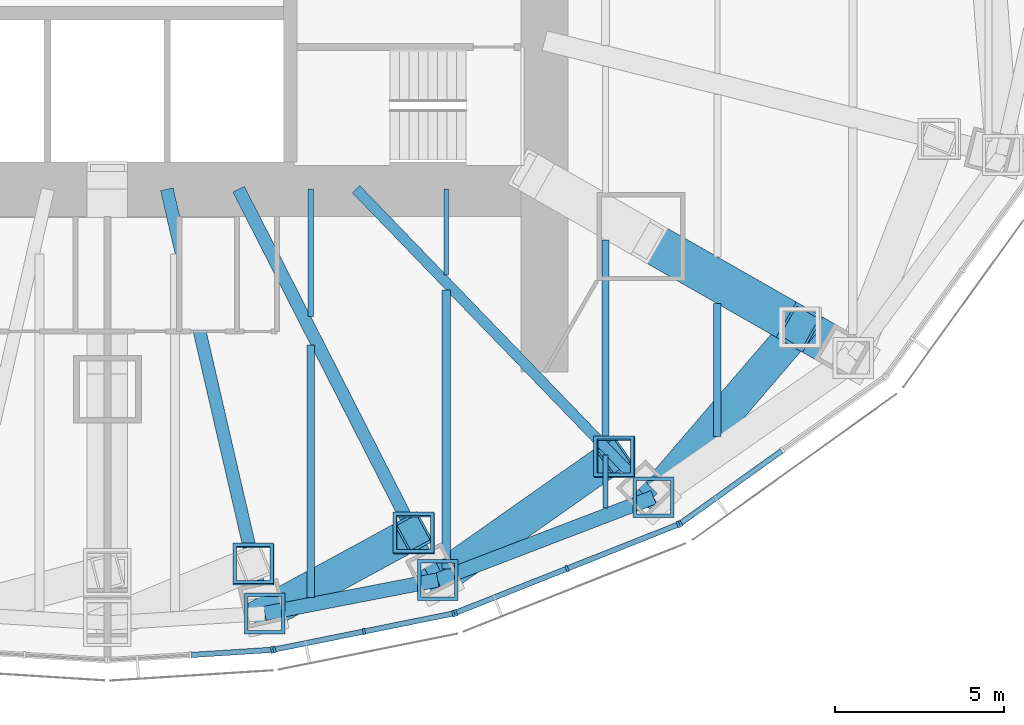
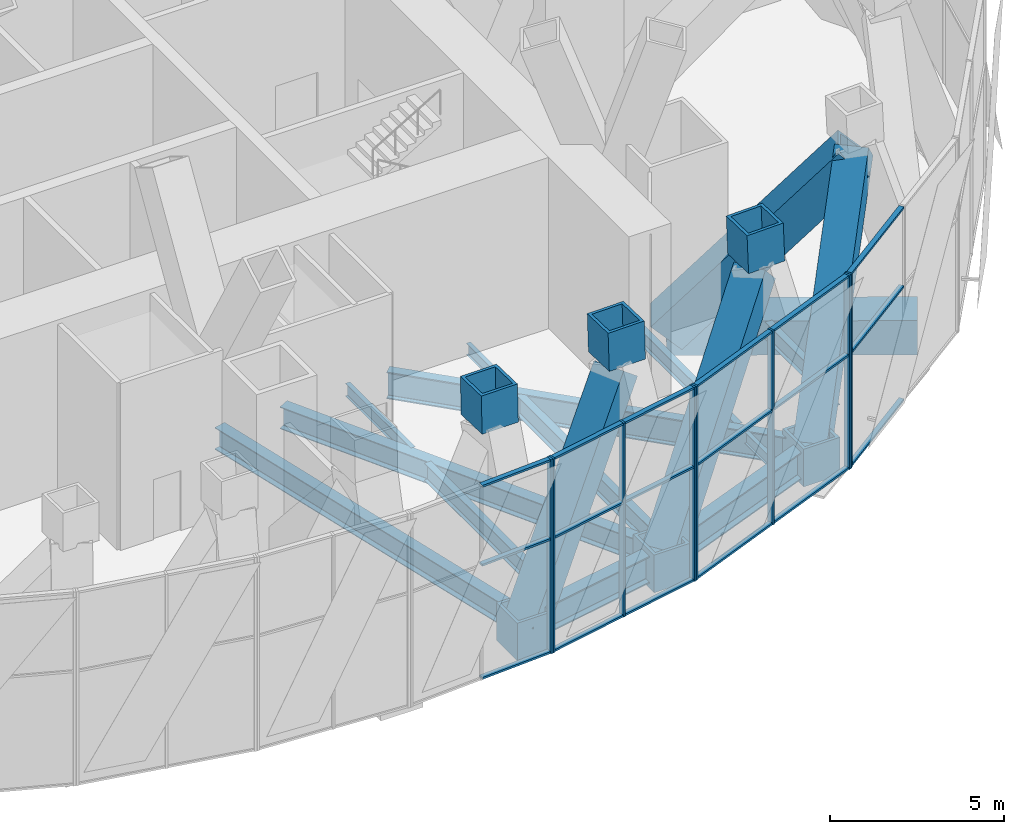
# One storey, part 5 of 19: 36 members, 13 beams, 4 elements without a shape of their own.
"""IFC4 building model written with IfcOpenShell, lengths in metres."""

import ifcopenshell
import ifcopenshell.guid

model = None  # the IFC model being written
_history = None  # IfcOwnerHistory: only IFC2X3 demands one
_inside = {}  # id of a spatial element -> (the spatial element, [elements in it])
_under = {}  # id of a project, library or spatial element -> (it, [spatial elements below it])
_declared = {}  # id of a project -> (the project, [libraries it declares])
_typed = {}  # id of a type object -> (the type object, [elements of that type])
_made_of = {}  # id of a material, layer set ... -> (it, [elements and type objects made of it])


def new_model(schema):
    """Start an empty IFC model of exactly this schema.

    Asked for "IFC4X3", IfcOpenShell would pick the latest addendum, in which some entities
    have other attributes; the version numbers below select the first issue.
    IFC2X3 requires an IfcOwnerHistory on every rooted entity: one is made here for all.
    """
    global model, _history
    if schema == "IFC4X3":
        model = ifcopenshell.file(schema_version=(4, 3, 0, 0))
    else:
        model = ifcopenshell.file(schema=schema)
    _inside.clear()
    _under.clear()
    _declared.clear()
    _typed.clear()
    _made_of.clear()
    _history = None
    if model.schema == "IFC2X3":
        org = make("IfcOrganization", Name="unknown")
        user = make(
            "IfcPersonAndOrganization",
            ThePerson=make("IfcPerson", FamilyName="unknown"),
            TheOrganization=org,
        )
        app = make(
            "IfcApplication",
            ApplicationDeveloper=org,
            Version="unknown",
            ApplicationFullName="unknown",
            ApplicationIdentifier="unknown",
        )
        _history = make(
            "IfcOwnerHistory",
            OwningUser=user,
            OwningApplication=app,
            ChangeAction="ADDED",
            CreationDate=0,
        )
    return model


def make(cls, **values):
    """One entity of the class cls with the attributes given. An attribute that is None is left unset."""
    return model.create_entity(
        cls, **{name: value for name, value in values.items() if value is not None}
    )


def rooted(cls, **values):
    """An entity with a GlobalId (a new one), such as an element, a storey or a relation."""
    return make(cls, GlobalId=ifcopenshell.guid.new(), OwnerHistory=_history, **values)


def si_unit(unit_type, name, prefix=None):
    """IfcSIUnit, for example si_unit("LENGTHUNIT", "METRE", prefix="MILLI")."""
    return make("IfcSIUnit", UnitType=unit_type, Prefix=prefix, Name=name)


def assignment(units):
    """IfcUnitAssignment: the units of a project."""
    return None if units is None else make("IfcUnitAssignment", Units=units)


def point(xyz):
    """IfcCartesianPoint."""
    return None if xyz is None else make("IfcCartesianPoint", Coordinates=xyz)


def direction(xyz):
    """IfcDirection."""
    return None if xyz is None else make("IfcDirection", DirectionRatios=xyz)


def frame(location, z_axis=None, x_axis=None):
    """IfcAxis2Placement3D, a coordinate frame: its origin and axes. An axis left out is left unset."""
    return make(
        "IfcAxis2Placement3D",
        Location=point(location),
        Axis=direction(z_axis),
        RefDirection=direction(x_axis),
    )


def frame_2d(location, x_axis=None):
    """IfcAxis2Placement2D, a coordinate frame in the plane: its origin and x axis."""
    return make(
        "IfcAxis2Placement2D", Location=point(location), RefDirection=direction(x_axis)
    )


def origin():
    """The frame at (0, 0, 0) with its axes left unset."""
    return frame((0.0, 0.0, 0.0))


def origin_2d():
    """The frame at (0, 0) in the plane with its x axis left unset."""
    return frame_2d((0.0, 0.0))


def place(relative_to, where):
    """IfcLocalPlacement: puts the frame where relative to a parent placement (None: the world)."""
    return make(
        "IfcLocalPlacement", PlacementRelTo=relative_to, RelativePlacement=where
    )


def context(
    kind, dimensions, precision=None, world=None, true_north=None, identifier=None
):
    """IfcGeometricRepresentationContext, for example the 3D "Model" context."""
    return make(
        "IfcGeometricRepresentationContext",
        ContextIdentifier=identifier,
        ContextType=kind,
        CoordinateSpaceDimension=dimensions,
        Precision=precision,
        WorldCoordinateSystem=world,
        TrueNorth=true_north,
    )


def subcontext(parent, identifier, kind, view, scale=None):
    """IfcGeometricRepresentationSubContext, for example "Body" below "Model"."""
    return make(
        "IfcGeometricRepresentationSubContext",
        ContextIdentifier=identifier,
        ContextType=kind,
        ParentContext=parent,
        TargetScale=scale,
        TargetView=view,
    )


def project(units=None, contexts=None):
    """IfcProject with its units and contexts."""
    return rooted(
        "IfcProject",
        Name="project",
        RepresentationContexts=contexts,
        UnitsInContext=assignment(units),
    )


def spatial(cls, under=None, at=None, **own):
    """A site, building, storey or space (cls), placed at a placement, below another one or the project."""
    s = rooted(cls, ObjectPlacement=at, **own)
    if under is not None:
        _under.setdefault(under.id(), (under, []))[1].append(s)
    return s


def profile(cls, at=None, kind="AREA", **sizes):
    """A parametric profile (cls). Its sizes go by their IFC names, for example OverallWidth=200.0."""
    return make(cls, ProfileType=kind, Position=at, **sizes)


def rectangle(**sizes):
    """IfcRectangleProfileDef."""
    return profile("IfcRectangleProfileDef", **sizes)


def hollow_rectangle(**sizes):
    """IfcRectangleHollowProfileDef."""
    return profile("IfcRectangleHollowProfileDef", **sizes)


def i_section(**sizes):
    """IfcIShapeProfileDef."""
    return profile("IfcIShapeProfileDef", **sizes)


def extrude(swept, where, along, depth):
    """IfcExtrudedAreaSolid: the profile swept, set in the frame where, extruded along a direction by depth."""
    return make(
        "IfcExtrudedAreaSolid",
        SweptArea=swept,
        Position=where,
        ExtrudedDirection=direction(along),
        Depth=depth,
    )


def shape(context_of_items, identifier, shape_type, items):
    """IfcShapeRepresentation: the items that make up one representation, for example the "Body"."""
    return make(
        "IfcShapeRepresentation",
        ContextOfItems=context_of_items,
        RepresentationIdentifier=identifier,
        RepresentationType=shape_type,
        Items=items,
    )


def material(Name=None, Category=None):
    """IfcMaterial."""
    return make("IfcMaterial", Name=Name, Category=Category)


def material_profile(
    of_material, cross_section, Name=None, Category=None, Priority=None
):
    """IfcMaterialProfile: a cross section and its material."""
    return make(
        "IfcMaterialProfile",
        Name=Name,
        Material=of_material,
        Profile=cross_section,
        Priority=Priority,
        Category=Category,
    )


def profile_set(profiles, Name=None, composite=None):
    """IfcMaterialProfileSet."""
    return make(
        "IfcMaterialProfileSet",
        Name=Name,
        MaterialProfiles=profiles,
        CompositeProfile=composite,
    )


def made_of(thing, what):
    """Note that an element or type object is made of a material, layer set ...; save() writes the relation."""
    if what is not None:
        _made_of.setdefault(what.id(), (what, []))[1].append(thing)
    return thing


def type_object(cls, material=None, **own):
    """A type object (cls), such as IfcWallType, which elements share."""
    return made_of(rooted(cls, **own), material)


def element(
    cls,
    number,
    at=None,
    inside=None,
    cuts=None,
    type_object=None,
    material=None,
    context=None,
    identifier="Body",
    shape_type=None,
    held_by="IfcProductDefinitionShape",
    body=None,
    shapes=None,
    **own,
):
    """One element of the class cls, such as IfcWall. Its Tag is "e" and its number.

    at: its placement. inside: the storey or other place that contains it. cuts: it is an
    opening in that element (IfcRelVoidsElement). A single representation is given by context,
    identifier, shape_type and body (its items); several are given by shapes. held_by: the class
    of the entity that holds the representations. save() writes the other relations.
    """
    e = rooted(cls, Tag="e%d" % number, ObjectPlacement=at, **own)
    if body is not None:
        shapes = [shape(context, identifier, shape_type, body)]
    if shapes is not None:
        e.Representation = make(held_by, Representations=shapes)
    if inside is not None:
        _inside.setdefault(inside.id(), (inside, []))[1].append(e)
    if cuts is not None:
        rooted(
            "IfcRelVoidsElement", RelatingBuildingElement=cuts, RelatedOpeningElement=e
        )
    if type_object is not None:
        _typed.setdefault(type_object.id(), (type_object, []))[1].append(e)
    return made_of(e, material)


def aggregate(whole, parts):
    """IfcRelAggregates: a whole, such as a stair, and the parts it consists of."""
    return rooted("IfcRelAggregates", RelatingObject=whole, RelatedObjects=parts)


def save(model, path):
    """Write the relations noted so far, then the file.

    IfcRelAggregates (storeys below a building ...), IfcRelContainedInSpatialStructure (elements
    in a storey), IfcRelDefinesByType, IfcRelAssociatesMaterial and IfcRelDeclares: one each for
    every whole, place, type object, material and project.
    """
    for whole, parts in _under.values():
        aggregate(whole, parts)
    for where, things in _inside.values():
        rooted(
            "IfcRelContainedInSpatialStructure",
            RelatedElements=things,
            RelatingStructure=where,
        )
    for kind, things in _typed.values():
        rooted("IfcRelDefinesByType", RelatedObjects=things, RelatingType=kind)
    for what, things in _made_of.values():
        rooted("IfcRelAssociatesMaterial", RelatedObjects=things, RelatingMaterial=what)
    for by, libraries in _declared.values():
        rooted("IfcRelDeclares", RelatingContext=by, RelatedDefinitions=libraries)
    model.write(path)


model = new_model("IFC4")

# Units and contexts
model_context = context("Model", 3, precision=1e-05, world=origin(), true_north=direction((0.0, 1.0)))
body_context = subcontext(model_context, "Body", "Model", "MODEL_VIEW")
ifc_project = project(units=[si_unit("LENGTHUNIT", "METRE"), si_unit("AREAUNIT", "SQUARE_METRE"), si_unit("VOLUMEUNIT", "CUBIC_METRE"), si_unit("PLANEANGLEUNIT", "RADIAN"), si_unit("MASSUNIT", "GRAM", prefix="KILO")], contexts=[model_context])

# Site, building, storey
site_placement = place(None, origin())
site = spatial("IfcSite", under=ifc_project, at=site_placement, CompositionType="ELEMENT")
building_placement = place(site_placement, origin())
building = spatial("IfcBuilding", under=site, at=building_placement, Name="Lantaw Convention Tower", CompositionType="ELEMENT")
storey_placement = place(building_placement, frame((0.0, 0.0, 193.0)))
storey = spatial("IfcBuildingStorey", under=building, at=storey_placement, Name="L45", CompositionType="ELEMENT", Elevation=193.0)

# Beams
ifc_material_1 = material(Name="Steel ASTM A992", Category="steel")
ifc_material_profile_1 = material_profile(ifc_material_1, i_section(OverallWidth=0.424072265625, OverallDepth=0.947509765625, WebThickness=0.02392578125, FlangeThickness=0.042724609375, FilletRadius=0.012451171875, at=origin_2d()), Name="W36X302")
ifc_profile_set_1 = profile_set([ifc_material_profile_1], Name="Steel ASTM A992")
beam_type_1 = type_object("IfcBeamType", Name="Beam BC W36X302", PredefinedType="SPANDREL", material=ifc_profile_set_1)
beam_1_placement = place(storey_placement, frame((4.64501953125, -20.1201171875, -0.673828125), z_axis=(0.981796805654, 0.189934284446, 0.0), x_axis=(-0.189934284446, 0.981796805654, 0.0)))
element("IfcBeam", 1, at=beam_1_placement, inside=storey, type_object=beam_type_1, Name="Belt truss chord 20", PredefinedType="SPANDREL", context=body_context, shape_type="SweptSolid", body=[
    extrude(i_section(OverallWidth=0.424072265625, OverallDepth=0.947509765625, WebThickness=0.02392578125, FlangeThickness=0.042724609375, FilletRadius=0.012451171875, at=origin_2d()), origin(), (0.0, 0.0, 1.0), 5.1982421875),
])
beam_2_placement = place(storey_placement, frame((9.74853515625, -19.1328125, -0.673828125), z_axis=(0.933691081977, 0.358079549033, 0.0), x_axis=(-0.358079549033, 0.933691081977, 0.0)))
element("IfcBeam", 2, at=beam_2_placement, inside=storey, type_object=beam_type_1, Name="Belt truss chord 21", PredefinedType="SPANDREL", context=body_context, shape_type="SweptSolid", body=[
    extrude(i_section(OverallWidth=0.424072265625, OverallDepth=0.947509765625, WebThickness=0.02392578125, FlangeThickness=0.042724609375, FilletRadius=0.012451171875, at=origin_2d()), origin(), (0.0, 0.0, 1.0), 6.821533203125),
])
ifc_material_2 = material(Name="Steel EN 10025-3 S460N", Category="steel")
ifc_material_profile_2 = material_profile(ifc_material_2, hollow_rectangle(XDim=1.199951171875, YDim=1.199951171875, WallThickness=0.10009765625, at=origin_2d()), Name="BOX1200X100")
ifc_profile_set_2 = profile_set([ifc_material_profile_2], Name="Steel EN 10025-3 S460N")
beam_type_2 = type_object("IfcBeamType", Name="Beam G BOX1200X100", PredefinedType="BEAM", material=ifc_profile_set_2)
beam_3_placement = place(storey_placement, frame((15.75, -9.0, -0.800048828125), z_axis=(0.868245224608, -0.496135293993, 0.0), x_axis=(0.496135293993, 0.868245224608, 0.0)))
element("IfcBeam", 3, at=beam_3_placement, inside=storey, type_object=beam_type_2, Name="Floor girder on ray 23", PredefinedType="BEAM", context=body_context, shape_type="SweptSolid", body=[
    extrude(hollow_rectangle(XDim=1.199951171875, YDim=1.199951171875, WallThickness=0.10009765625, at=origin_2d()), origin(), (0.0, 0.0, 1.0), 7.21435546875),
])
ifc_material_profile_3 = material_profile(ifc_material_1, i_section(OverallWidth=0.381103515625, OverallDepth=0.772216796875, WebThickness=0.0166015625, FlangeThickness=0.027099609375, FilletRadius=0.0146484375, at=origin_2d()), Name="W30X173")
ifc_profile_set_3 = profile_set([ifc_material_profile_3], Name="Steel ASTM A992")
beam_type_3 = type_object("IfcBeamType", Name="Beam G W30X173", PredefinedType="BEAM", material=ifc_profile_set_3)
beam_4_placement = place(storey_placement, frame((1.754638671875, -7.60009765625, -0.586181640625), z_axis=(0.224944153104, -0.974371658036, 0.0), x_axis=(0.974371658036, 0.224944153104, 0.0)))
element("IfcBeam", 4, at=beam_4_placement, inside=storey, type_object=beam_type_3, Name="Floor girder on ray 20", PredefinedType="BEAM", context=body_context, shape_type="SweptSolid", body=[
    extrude(i_section(OverallWidth=0.381103515625, OverallDepth=0.772216796875, WebThickness=0.0166015625, FlangeThickness=0.027099609375, FilletRadius=0.0146484375, at=origin_2d()), origin(), (0.0, 0.0, 1.0), 12.849365234375),
])
beam_5_placement = place(storey_placement, frame((3.872314453125, -7.60009765625, -0.586181640625), z_axis=(0.453991051051, -0.891006243281, 0.0), x_axis=(0.891006243281, 0.453991051051, 0.0)))
element("IfcBeam", 5, at=beam_5_placement, inside=storey, type_object=beam_type_3, Name="Floor girder on ray 21", PredefinedType="BEAM", context=body_context, shape_type="SweptSolid", body=[
    extrude(i_section(OverallWidth=0.381103515625, OverallDepth=0.772216796875, WebThickness=0.0166015625, FlangeThickness=0.027099609375, FilletRadius=0.0146484375, at=origin_2d()), origin(), (0.0, 0.0, 1.0), 12.943359375),
])
ifc_material_profile_4 = material_profile(ifc_material_1, i_section(OverallWidth=0.307373046875, OverallDepth=0.9423828125, WebThickness=0.022216796875, FlangeThickness=0.039794921875, FilletRadius=0.0126953125, at=origin_2d()), Name="W36X232")
ifc_profile_set_4 = profile_set([ifc_material_profile_4], Name="Steel ASTM A992")
beam_type_4 = type_object("IfcBeamType", Name="Beam G W36X232", PredefinedType="BEAM", material=ifc_profile_set_4)
beam_6_placement = place(storey_placement, frame((7.33935546875, -7.60009765625, -0.671142578125), z_axis=(0.694663467407, -0.719334878239, 0.0), x_axis=(0.719334878239, 0.694663467407, 0.0)))
element("IfcBeam", 6, at=beam_6_placement, inside=storey, type_object=beam_type_4, Name="Floor girder on ray 22", PredefinedType="BEAM", context=body_context, shape_type="SweptSolid", body=[
    extrude(i_section(OverallWidth=0.307373046875, OverallDepth=0.9423828125, WebThickness=0.022216796875, FlangeThickness=0.039794921875, FilletRadius=0.0126953125, at=origin_2d()), origin(), (0.0, 0.0, 1.0), 12.63671875),
])
ifc_material_profile_5 = material_profile(ifc_material_1, i_section(OverallWidth=0.140380859375, OverallDepth=0.40380859375, WebThickness=0.007080078125, FlangeThickness=0.01123046875, FilletRadius=0.01025390625, at=origin_2d()), Name="W16X31")
ifc_profile_set_5 = profile_set([ifc_material_profile_5], Name="Steel ASTM A992")
beam_type_5 = type_object("IfcBeamType", Name="Beam J W16X31", PredefinedType="JOIST", material=ifc_profile_set_5)
beam_7_placement = place(storey_placement, frame((10.0, -10.134033203125, -0.40185546875), z_axis=(0.0, 1.0, 0.0), x_axis=(-1.0, 0.0, 0.0)))
element("IfcBeam", 7, at=beam_7_placement, inside=storey, type_object=beam_type_5, Name="Floor joist", PredefinedType="JOIST", context=body_context, shape_type="SweptSolid", body=[
    extrude(i_section(OverallWidth=0.140380859375, OverallDepth=0.40380859375, WebThickness=0.007080078125, FlangeThickness=0.01123046875, FilletRadius=0.01025390625, at=origin_2d()), origin(), (0.0, 0.0, 1.0), 2.533935546875),
])
beam_8_placement = place(storey_placement, frame((14.699951171875, -17.0068359375, -0.40185546875), z_axis=(0.0, 1.0, 0.0), x_axis=(-1.0, 0.0, 0.0)))
element("IfcBeam", 8, at=beam_8_placement, inside=storey, type_object=beam_type_5, Name="Floor joist", PredefinedType="JOIST", context=body_context, shape_type="SweptSolid", body=[
    extrude(i_section(OverallWidth=0.140380859375, OverallDepth=0.40380859375, WebThickness=0.007080078125, FlangeThickness=0.01123046875, FilletRadius=0.01025390625, at=origin_2d()), origin(), (0.0, 0.0, 1.0), 1.563232421875),
])
ifc_material_profile_6 = material_profile(ifc_material_1, i_section(OverallWidth=0.15234375, OverallDepth=0.449462890625, WebThickness=0.007568359375, FlangeThickness=0.0107421875, FilletRadius=0.01025390625, at=origin_2d()), Name="W18X35")
ifc_profile_set_6 = profile_set([ifc_material_profile_6], Name="Steel ASTM A992")
beam_type_6 = type_object("IfcBeamType", Name="Beam J W18X35", PredefinedType="JOIST", material=ifc_profile_set_6)
beam_9_placement = place(storey_placement, frame((6.0, -11.35595703125, -0.4248046875), z_axis=(0.0, 1.0, 0.0), x_axis=(-1.0, 0.0, 0.0)))
element("IfcBeam", 9, at=beam_9_placement, inside=storey, type_object=beam_type_6, Name="Floor joist", PredefinedType="JOIST", context=body_context, shape_type="SweptSolid", body=[
    extrude(i_section(OverallWidth=0.15234375, OverallDepth=0.449462890625, WebThickness=0.007568359375, FlangeThickness=0.0107421875, FilletRadius=0.01025390625, at=origin_2d()), origin(), (0.0, 0.0, 1.0), 3.755859375),
])
ifc_material_profile_7 = material_profile(ifc_material_1, i_section(OverallWidth=0.2099609375, OverallDepth=0.535888671875, WebThickness=0.010986328125, FlangeThickness=0.017333984375, FilletRadius=0.012939453125, at=origin_2d()), Name="W21X68")
ifc_profile_set_7 = profile_set([ifc_material_profile_7], Name="Steel ASTM A992")
beam_type_7 = type_object("IfcBeamType", Name="Beam J W21X68", PredefinedType="JOIST", material=ifc_profile_set_7)
beam_10_placement = place(storey_placement, frame((14.699951171875, -15.0009765625, -0.468017578125), z_axis=(0.0, 1.0, 0.0), x_axis=(-1.0, 0.0, 0.0)))
element("IfcBeam", 10, at=beam_10_placement, inside=storey, type_object=beam_type_7, Name="Floor joist", PredefinedType="JOIST", context=body_context, shape_type="SweptSolid", body=[
    extrude(i_section(OverallWidth=0.2099609375, OverallDepth=0.535888671875, WebThickness=0.010986328125, FlangeThickness=0.017333984375, FilletRadius=0.012939453125, at=origin_2d()), origin(), (0.0, 0.0, 1.0), 5.909912109375),
])
ifc_material_profile_8 = material_profile(ifc_material_1, i_section(OverallWidth=0.227783203125, OverallDepth=0.60205078125, WebThickness=0.010498046875, FlangeThickness=0.014892578125, FilletRadius=0.012939453125, at=origin_2d()), Name="W24X68")
ifc_profile_set_8 = profile_set([ifc_material_profile_8], Name="Steel ASTM A992")
beam_type_8 = type_object("IfcBeamType", Name="Beam J W24X68", PredefinedType="JOIST", material=ifc_profile_set_8)
beam_11_placement = place(storey_placement, frame((18.0, -14.890380859375, -0.5009765625), z_axis=(0.0, 1.0, 0.0), x_axis=(-1.0, 0.0, 0.0)))
element("IfcBeam", 11, at=beam_11_placement, inside=storey, type_object=beam_type_8, Name="Floor joist", PredefinedType="JOIST", context=body_context, shape_type="SweptSolid", body=[
    extrude(i_section(OverallWidth=0.227783203125, OverallDepth=0.60205078125, WebThickness=0.010498046875, FlangeThickness=0.014892578125, FilletRadius=0.012939453125, at=origin_2d()), origin(), (0.0, 0.0, 1.0), 3.91357421875),
])
ifc_material_profile_9 = material_profile(ifc_material_1, i_section(OverallWidth=0.22900390625, OverallDepth=0.612060546875, WebThickness=0.011962890625, FlangeThickness=0.01953125, FilletRadius=0.0126953125, at=origin_2d()), Name="W24X84")
ifc_profile_set_9 = profile_set([ifc_material_profile_9], Name="Steel ASTM A992")
beam_type_9 = type_object("IfcBeamType", Name="Beam J W24X84", PredefinedType="JOIST", material=ifc_profile_set_9)
beam_12_placement = place(storey_placement, frame((6.0, -19.641845703125, -0.506103515625), z_axis=(0.0, 1.0, 0.0), x_axis=(-1.0, 0.0, 0.0)))
element("IfcBeam", 12, at=beam_12_placement, inside=storey, type_object=beam_type_9, Name="Floor joist", PredefinedType="JOIST", context=body_context, shape_type="SweptSolid", body=[
    extrude(i_section(OverallWidth=0.22900390625, OverallDepth=0.612060546875, WebThickness=0.011962890625, FlangeThickness=0.01953125, FilletRadius=0.0126953125, at=origin_2d()), origin(), (0.0, 0.0, 1.0), 7.446533203125),
])
ifc_material_profile_10 = material_profile(ifc_material_1, i_section(OverallWidth=0.25390625, OverallDepth=0.683349609375, WebThickness=0.012451171875, FlangeThickness=0.01904296875, FilletRadius=0.01513671875, at=origin_2d()), Name="W27X94")
ifc_profile_set_10 = profile_set([ifc_material_profile_10], Name="Steel ASTM A992")
beam_type_10 = type_object("IfcBeamType", Name="Beam J W27X94", PredefinedType="JOIST", material=ifc_profile_set_10)
beam_13_placement = place(storey_placement, frame((10.0, -18.80908203125, -0.541748046875), z_axis=(0.0, 1.0, 0.0), x_axis=(-1.0, 0.0, 0.0)))
element("IfcBeam", 13, at=beam_13_placement, inside=storey, type_object=beam_type_10, Name="Floor joist", PredefinedType="JOIST", context=body_context, shape_type="SweptSolid", body=[
    extrude(i_section(OverallWidth=0.25390625, OverallDepth=0.683349609375, WebThickness=0.012451171875, FlangeThickness=0.01904296875, FilletRadius=0.01513671875, at=origin_2d()), origin(), (0.0, 0.0, 1.0), 8.232666015625),
])

# Curtain wall, member
ifc_material_3 = material(Name="Aluminium framed curtain wall", Category="aluminium")
curtain_wall_type = type_object("IfcCurtainWallType", Name="Plant floor louvre wall, pale aluminium", PredefinedType="USERDEFINED", material=ifc_material_3)
curtain_wall_1_placement = place(storey_placement, origin())
curtain_wall_1 = element("IfcCurtainWall", 14, at=curtain_wall_1_placement, inside=storey, type_object=curtain_wall_type, Name="Plant floor louvre wall, pale aluminium L45", ObjectType="LOUVRE WALL", PredefinedType="USERDEFINED")
ifc_material_4 = material(Name="Aluminium 6063-T6", Category="aluminium")
ifc_material_profile_11 = material_profile(ifc_material_4, rectangle(XDim=0.199951171875, YDim=0.070068359375, at=origin_2d()), Name="CW-LV mullion 70x200")
ifc_profile_set_11 = profile_set([ifc_material_profile_11], Name="Aluminium 6063-T6")
member_type_1 = type_object("IfcMemberType", Name="CW-LV mullion 70x200", PredefinedType="MULLION", material=ifc_profile_set_11)
member_1_placement = place(storey_placement, frame((4.857666015625, -21.194091796875, -1.0), z_axis=(0.0, 0.0, 1.0), x_axis=(-0.062865059466, 0.998022035978, 0.0)))
member_1 = element("IfcMember", 15, at=member_1_placement, type_object=member_type_1, Name="CW-LV mullion 3", PredefinedType="MULLION", context=body_context, shape_type="SweptSolid", body=[
    extrude(rectangle(XDim=0.199951171875, YDim=0.070068359375, at=origin_2d()), origin(), (0.0, 0.0, 1.0), 6.800048828125),
])

# Curtain wall, members
curtain_wall_2_placement = place(storey_placement, origin())
curtain_wall_2 = element("IfcCurtainWall", 16, at=curtain_wall_2_placement, inside=storey, type_object=curtain_wall_type, Name="Plant floor louvre wall, pale aluminium L45", ObjectType="LOUVRE WALL", PredefinedType="USERDEFINED")
member_2_placement = place(storey_placement, frame((4.9267578125, -21.184814453125, -1.0), z_axis=(0.0, 0.0, 1.0), x_axis=(-0.197506809659, 0.980301514912, 0.0)))
member_2 = element("IfcMember", 17, at=member_2_placement, type_object=member_type_1, Name="CW-LV mullion 1", PredefinedType="MULLION", context=body_context, shape_type="SweptSolid", body=[
    extrude(rectangle(XDim=0.199951171875, YDim=0.070068359375, at=origin_2d()), origin(), (0.0, 0.0, 1.0), 6.800048828125),
])
member_3_placement = place(storey_placement, frame((7.5703125, -20.65234375, -1.0), z_axis=(0.0, 0.0, 1.0), x_axis=(-0.197506809659, 0.980301514912, 0.0)))
member_3 = element("IfcMember", 18, at=member_3_placement, type_object=member_type_1, Name="CW-LV mullion 2", PredefinedType="MULLION", context=body_context, shape_type="SweptSolid", body=[
    extrude(rectangle(XDim=0.199951171875, YDim=0.070068359375, at=origin_2d()), origin(), (0.0, 0.0, 1.0), 6.800048828125),
])
member_4_placement = place(storey_placement, frame((10.213623046875, -20.11962890625, -1.0), z_axis=(0.0, 0.0, 1.0), x_axis=(-0.197506809659, 0.980301514912, 0.0)))
member_4 = element("IfcMember", 19, at=member_4_placement, type_object=member_type_1, Name="CW-LV mullion 3", PredefinedType="MULLION", context=body_context, shape_type="SweptSolid", body=[
    extrude(rectangle(XDim=0.199951171875, YDim=0.070068359375, at=origin_2d()), origin(), (0.0, 0.0, 1.0), 6.800048828125),
])

curtain_wall_3_placement = place(storey_placement, origin())
curtain_wall_3 = element("IfcCurtainWall", 20, at=curtain_wall_3_placement, inside=storey, type_object=curtain_wall_type, Name="Plant floor louvre wall, pale aluminium L45", ObjectType="LOUVRE WALL", PredefinedType="USERDEFINED")
member_5_placement = place(storey_placement, frame((10.280517578125, -20.099853515625, -1.0), z_axis=(0.0, 0.0, 1.0), x_axis=(-0.368701907483, 0.929547687544, 0.0)))
member_5 = element("IfcMember", 21, at=member_5_placement, type_object=member_type_1, Name="CW-LV mullion 1", PredefinedType="MULLION", context=body_context, shape_type="SweptSolid", body=[
    extrude(rectangle(XDim=0.199951171875, YDim=0.070068359375, at=origin_2d()), origin(), (0.0, 0.0, 1.0), 6.800048828125),
])
member_6_placement = place(storey_placement, frame((13.56494140625, -18.797119140625, -1.0), z_axis=(0.0, 0.0, 1.0), x_axis=(-0.368701907483, 0.929547687544, 0.0)))
member_6 = element("IfcMember", 22, at=member_6_placement, type_object=member_type_1, Name="CW-LV mullion 2", PredefinedType="MULLION", context=body_context, shape_type="SweptSolid", body=[
    extrude(rectangle(XDim=0.199951171875, YDim=0.070068359375, at=origin_2d()), origin(), (0.0, 0.0, 1.0), 6.800048828125),
])
member_7_placement = place(storey_placement, frame((16.84912109375, -17.494384765625, -1.0), z_axis=(0.0, 0.0, 1.0), x_axis=(-0.368701907483, 0.929547687544, 0.0)))
member_7 = element("IfcMember", 23, at=member_7_placement, type_object=member_type_1, Name="CW-LV mullion 3", PredefinedType="MULLION", context=body_context, shape_type="SweptSolid", body=[
    extrude(rectangle(XDim=0.199951171875, YDim=0.070068359375, at=origin_2d()), origin(), (0.0, 0.0, 1.0), 6.800048828125),
])

# Curtain wall, member
curtain_wall_4_placement = place(storey_placement, origin())
curtain_wall_4 = element("IfcCurtainWall", 24, at=curtain_wall_4_placement, inside=storey, type_object=curtain_wall_type, Name="Plant floor louvre wall, pale aluminium L45", ObjectType="LOUVRE WALL", PredefinedType="USERDEFINED")
member_8_placement = place(storey_placement, frame((16.91015625, -17.461181640625, -1.0), z_axis=(0.0, 0.0, 1.0), x_axis=(-0.581972695693, 0.813208325995, 0.0)))
member_8 = element("IfcMember", 25, at=member_8_placement, type_object=member_type_1, Name="CW-LV mullion 1", PredefinedType="MULLION", context=body_context, shape_type="SweptSolid", body=[
    extrude(rectangle(XDim=0.199951171875, YDim=0.070068359375, at=origin_2d()), origin(), (0.0, 0.0, 1.0), 6.800048828125),
])

# Member
ifc_material_profile_12 = material_profile(ifc_material_4, rectangle(XDim=0.159912109375, YDim=0.070068359375, at=origin_2d()), Name="CW-LV transom 70x160")
ifc_profile_set_12 = profile_set([ifc_material_profile_12], Name="Aluminium 6063-T6")
member_type_2 = type_object("IfcMemberType", Name="CW-LV transom 70x160", PredefinedType="USERDEFINED", material=ifc_profile_set_12)
member_9_placement = place(storey_placement, frame((2.481201171875, -21.34375, -0.965087890625), z_axis=(0.99802290903, 0.062851197691, 0.0), x_axis=(-0.062851197691, 0.99802290903, 0.0)))
member_9 = element("IfcMember", 26, at=member_9_placement, type_object=member_type_2, Name="CW-LV transom 2.1", ObjectType="TRANSOM", PredefinedType="USERDEFINED", context=body_context, shape_type="SweptSolid", body=[
    extrude(rectangle(XDim=0.159912109375, YDim=0.070068359375, at=origin_2d()), origin(), (0.0, 0.0, 1.0), 2.34619140625),
])

member_10_placement = place(storey_placement, frame((2.481201171875, -21.34375, 3.0), z_axis=(0.99802290903, 0.062851197691, 0.0), x_axis=(-0.062851197691, 0.99802290903, 0.0)))
member_10 = element("IfcMember", 27, at=member_10_placement, type_object=member_type_2, Name="CW-LV transom 2.2", ObjectType="TRANSOM", PredefinedType="USERDEFINED", context=body_context, shape_type="SweptSolid", body=[
    extrude(rectangle(XDim=0.159912109375, YDim=0.070068359375, at=origin_2d()), origin(), (0.0, 0.0, 1.0), 2.34619140625),
])

member_11_placement = place(storey_placement, frame((2.481201171875, -21.34375, 5.764892578125), z_axis=(0.99802290903, 0.062851197691, 0.0), x_axis=(-0.062851197691, 0.99802290903, 0.0)))
member_11 = element("IfcMember", 28, at=member_11_placement, type_object=member_type_2, Name="CW-LV transom 2.3", ObjectType="TRANSOM", PredefinedType="USERDEFINED", context=body_context, shape_type="SweptSolid", body=[
    extrude(rectangle(XDim=0.159912109375, YDim=0.070068359375, at=origin_2d()), origin(), (0.0, 0.0, 1.0), 2.34619140625),
])

aggregate(curtain_wall_1, [member_1, member_9, member_10, member_11])

member_12_placement = place(storey_placement, frame((4.961181640625, -21.177978515625, -0.965087890625), z_axis=(0.980297220397, 0.197528123776, 0.0), x_axis=(-0.197528123776, 0.980297220397, 0.0)))
member_12 = element("IfcMember", 29, at=member_12_placement, type_object=member_type_2, Name="CW-LV transom 1.1", ObjectType="TRANSOM", PredefinedType="USERDEFINED", context=body_context, shape_type="SweptSolid", body=[
    extrude(rectangle(XDim=0.159912109375, YDim=0.070068359375, at=origin_2d()), origin(), (0.0, 0.0, 1.0), 2.62646484375),
])

member_13_placement = place(storey_placement, frame((4.961181640625, -21.177978515625, 3.0), z_axis=(0.980297220397, 0.197528123776, 0.0), x_axis=(-0.197528123776, 0.980297220397, 0.0)))
member_13 = element("IfcMember", 30, at=member_13_placement, type_object=member_type_2, Name="CW-LV transom 1.2", ObjectType="TRANSOM", PredefinedType="USERDEFINED", context=body_context, shape_type="SweptSolid", body=[
    extrude(rectangle(XDim=0.159912109375, YDim=0.070068359375, at=origin_2d()), origin(), (0.0, 0.0, 1.0), 2.62646484375),
])

member_14_placement = place(storey_placement, frame((4.961181640625, -21.177978515625, 5.764892578125), z_axis=(0.980297220397, 0.197528123776, 0.0), x_axis=(-0.197528123776, 0.980297220397, 0.0)))
member_14 = element("IfcMember", 31, at=member_14_placement, type_object=member_type_2, Name="CW-LV transom 1.3", ObjectType="TRANSOM", PredefinedType="USERDEFINED", context=body_context, shape_type="SweptSolid", body=[
    extrude(rectangle(XDim=0.159912109375, YDim=0.070068359375, at=origin_2d()), origin(), (0.0, 0.0, 1.0), 2.62646484375),
])

member_15_placement = place(storey_placement, frame((7.6044921875, -20.6455078125, -0.965087890625), z_axis=(0.980300846737, 0.197510126037, 0.0), x_axis=(-0.197510126037, 0.980300846737, 0.0)))
member_15 = element("IfcMember", 32, at=member_15_placement, type_object=member_type_2, Name="CW-LV transom 2.1", ObjectType="TRANSOM", PredefinedType="USERDEFINED", context=body_context, shape_type="SweptSolid", body=[
    extrude(rectangle(XDim=0.159912109375, YDim=0.070068359375, at=origin_2d()), origin(), (0.0, 0.0, 1.0), 2.626708984375),
])

member_16_placement = place(storey_placement, frame((7.6044921875, -20.6455078125, 3.0), z_axis=(0.980300846737, 0.197510126037, 0.0), x_axis=(-0.197510126037, 0.980300846737, 0.0)))
member_16 = element("IfcMember", 33, at=member_16_placement, type_object=member_type_2, Name="CW-LV transom 2.2", ObjectType="TRANSOM", PredefinedType="USERDEFINED", context=body_context, shape_type="SweptSolid", body=[
    extrude(rectangle(XDim=0.159912109375, YDim=0.070068359375, at=origin_2d()), origin(), (0.0, 0.0, 1.0), 2.626708984375),
])

member_17_placement = place(storey_placement, frame((7.6044921875, -20.6455078125, 5.764892578125), z_axis=(0.980300846737, 0.197510126037, 0.0), x_axis=(-0.197510126037, 0.980300846737, 0.0)))
member_17 = element("IfcMember", 34, at=member_17_placement, type_object=member_type_2, Name="CW-LV transom 2.3", ObjectType="TRANSOM", PredefinedType="USERDEFINED", context=body_context, shape_type="SweptSolid", body=[
    extrude(rectangle(XDim=0.159912109375, YDim=0.070068359375, at=origin_2d()), origin(), (0.0, 0.0, 1.0), 2.626708984375),
])

aggregate(curtain_wall_2, [member_2, member_3, member_4, member_12, member_13, member_14, member_15, member_16, member_17])

member_18_placement = place(storey_placement, frame((10.31298828125, -20.0869140625, -0.965087890625), z_axis=(0.929552078691, 0.368690836611, 0.0), x_axis=(-0.368690836611, 0.929552078691, 0.0)))
member_18 = element("IfcMember", 35, at=member_18_placement, type_object=member_type_2, Name="CW-LV transom 1.1", ObjectType="TRANSOM", PredefinedType="USERDEFINED", context=body_context, shape_type="SweptSolid", body=[
    extrude(rectangle(XDim=0.159912109375, YDim=0.070068359375, at=origin_2d()), origin(), (0.0, 0.0, 1.0), 3.463134765625),
])

member_19_placement = place(storey_placement, frame((10.31298828125, -20.0869140625, 3.0), z_axis=(0.929552078691, 0.368690836611, 0.0), x_axis=(-0.368690836611, 0.929552078691, 0.0)))
member_19 = element("IfcMember", 36, at=member_19_placement, type_object=member_type_2, Name="CW-LV transom 1.2", ObjectType="TRANSOM", PredefinedType="USERDEFINED", context=body_context, shape_type="SweptSolid", body=[
    extrude(rectangle(XDim=0.159912109375, YDim=0.070068359375, at=origin_2d()), origin(), (0.0, 0.0, 1.0), 3.463134765625),
])

member_20_placement = place(storey_placement, frame((10.31298828125, -20.0869140625, 5.764892578125), z_axis=(0.929552078691, 0.368690836611, 0.0), x_axis=(-0.368690836611, 0.929552078691, 0.0)))
member_20 = element("IfcMember", 37, at=member_20_placement, type_object=member_type_2, Name="CW-LV transom 1.3", ObjectType="TRANSOM", PredefinedType="USERDEFINED", context=body_context, shape_type="SweptSolid", body=[
    extrude(rectangle(XDim=0.159912109375, YDim=0.070068359375, at=origin_2d()), origin(), (0.0, 0.0, 1.0), 3.463134765625),
])

member_21_placement = place(storey_placement, frame((13.597412109375, -18.7841796875, -0.965087890625), z_axis=(0.929552078691, 0.368690836611, 0.0), x_axis=(-0.368690836611, 0.929552078691, 0.0)))
member_21 = element("IfcMember", 38, at=member_21_placement, type_object=member_type_2, Name="CW-LV transom 2.1", ObjectType="TRANSOM", PredefinedType="USERDEFINED", context=body_context, shape_type="SweptSolid", body=[
    extrude(rectangle(XDim=0.159912109375, YDim=0.070068359375, at=origin_2d()), origin(), (0.0, 0.0, 1.0), 3.463134765625),
])

member_22_placement = place(storey_placement, frame((13.597412109375, -18.7841796875, 3.0), z_axis=(0.929552078691, 0.368690836611, 0.0), x_axis=(-0.368690836611, 0.929552078691, 0.0)))
member_22 = element("IfcMember", 39, at=member_22_placement, type_object=member_type_2, Name="CW-LV transom 2.2", ObjectType="TRANSOM", PredefinedType="USERDEFINED", context=body_context, shape_type="SweptSolid", body=[
    extrude(rectangle(XDim=0.159912109375, YDim=0.070068359375, at=origin_2d()), origin(), (0.0, 0.0, 1.0), 3.463134765625),
])

member_23_placement = place(storey_placement, frame((13.597412109375, -18.7841796875, 5.764892578125), z_axis=(0.929552078691, 0.368690836611, 0.0), x_axis=(-0.368690836611, 0.929552078691, 0.0)))
member_23 = element("IfcMember", 40, at=member_23_placement, type_object=member_type_2, Name="CW-LV transom 2.3", ObjectType="TRANSOM", PredefinedType="USERDEFINED", context=body_context, shape_type="SweptSolid", body=[
    extrude(rectangle(XDim=0.159912109375, YDim=0.070068359375, at=origin_2d()), origin(), (0.0, 0.0, 1.0), 3.463134765625),
])

aggregate(curtain_wall_3, [member_5, member_6, member_7, member_18, member_19, member_20, member_21, member_22, member_23])

member_24_placement = place(storey_placement, frame((16.938720703125, -17.44091796875, -0.965087890625), z_axis=(0.813193505493, 0.581993404278, 0.0), x_axis=(-0.581993404278, 0.813193505493, 0.0)))
member_24 = element("IfcMember", 41, at=member_24_placement, type_object=member_type_2, Name="CW-LV transom 1.1", ObjectType="TRANSOM", PredefinedType="USERDEFINED", context=body_context, shape_type="SweptSolid", body=[
    extrude(rectangle(XDim=0.159912109375, YDim=0.070068359375, at=origin_2d()), origin(), (0.0, 0.0, 1.0), 3.637939453125),
])

member_25_placement = place(storey_placement, frame((16.938720703125, -17.44091796875, 3.0), z_axis=(0.813193505493, 0.581993404278, 0.0), x_axis=(-0.581993404278, 0.813193505493, 0.0)))
member_25 = element("IfcMember", 42, at=member_25_placement, type_object=member_type_2, Name="CW-LV transom 1.2", ObjectType="TRANSOM", PredefinedType="USERDEFINED", context=body_context, shape_type="SweptSolid", body=[
    extrude(rectangle(XDim=0.159912109375, YDim=0.070068359375, at=origin_2d()), origin(), (0.0, 0.0, 1.0), 3.637939453125),
])

member_26_placement = place(storey_placement, frame((16.938720703125, -17.44091796875, 5.764892578125), z_axis=(0.813193505493, 0.581993404278, 0.0), x_axis=(-0.581993404278, 0.813193505493, 0.0)))
member_26 = element("IfcMember", 43, at=member_26_placement, type_object=member_type_2, Name="CW-LV transom 1.3", ObjectType="TRANSOM", PredefinedType="USERDEFINED", context=body_context, shape_type="SweptSolid", body=[
    extrude(rectangle(XDim=0.159912109375, YDim=0.070068359375, at=origin_2d()), origin(), (0.0, 0.0, 1.0), 3.637939453125),
])

aggregate(curtain_wall_4, [member_8, member_24, member_25, member_26])

# Members
ifc_material_5 = material(Name="Steel ASTM A572 Grade 50", Category="steel")
ifc_material_profile_13 = material_profile(ifc_material_5, hollow_rectangle(XDim=1.0, YDim=1.0, WallThickness=0.080078125, at=origin_2d()), Name="BOX1000X80")
ifc_profile_set_13 = profile_set([ifc_material_profile_13], Name="Steel ASTM A572 Grade 50")
member_type_3 = type_object("IfcMemberType", Name="Member BT BOX1000X80", PredefinedType="BRACE", material=ifc_profile_set_13)
member_27_placement = place(storey_placement, frame((4.64501953125, -20.1201171875, -0.673828125), z_axis=(0.559393546915, 0.304399692047, 0.770986178314), x_axis=(-0.47797565366, 0.878373083893, 0.0)))
element("IfcMember", 44, at=member_27_placement, inside=storey, type_object=member_type_3, Name="Belt truss diagonal 20", PredefinedType="BRACE", context=body_context, shape_type="SweptSolid", body=[
    extrude(hollow_rectangle(XDim=1.0, YDim=1.0, WallThickness=0.080078125, at=origin_2d()), origin(), (0.0, 0.0, 1.0), 7.84716796875),
])
member_28_placement = place(storey_placement, frame((9.74853515625, -19.1328125, -0.673828125), z_axis=(0.592206718593, 0.416871010772, 0.689572159264), x_axis=(-0.575616177296, 0.817720011028, 0.0)))
element("IfcMember", 45, at=member_28_placement, inside=storey, type_object=member_type_3, Name="Belt truss diagonal 21", PredefinedType="BRACE", context=body_context, shape_type="SweptSolid", body=[
    extrude(hollow_rectangle(XDim=1.0, YDim=1.0, WallThickness=0.080078125, at=origin_2d()), origin(), (0.0, 0.0, 1.0), 8.773681640625),
])
member_29_placement = place(storey_placement, frame((16.11767578125, -16.690185546875, -0.673828125), z_axis=(0.480347286752, 0.56004653036, 0.674992124355), x_axis=(-0.759050697742, 0.651031518636, 0.0)))
element("IfcMember", 46, at=member_29_placement, inside=storey, type_object=member_type_3, Name="Belt truss diagonal 22", PredefinedType="BRACE", context=body_context, shape_type="SweptSolid", body=[
    extrude(hollow_rectangle(XDim=1.0, YDim=1.0, WallThickness=0.080078125, at=origin_2d()), origin(), (0.0, 0.0, 1.0), 8.963134765625),
])
ifc_material_6 = material(Name="Cast steel ASTM A148 Grade 80-50", Category="steel")
ifc_material_profile_14 = material_profile(ifc_material_6, hollow_rectangle(XDim=1.199951171875, YDim=1.199951171875, WallThickness=0.10009765625, at=origin_2d()), Name="BOX1200X100")
ifc_profile_set_14 = profile_set([ifc_material_profile_14], Name="Cast steel ASTM A148 Grade 80-50")
member_type_4 = type_object("IfcMemberType", Name="Member CN BOX1200X100", PredefinedType="USERDEFINED", material=ifc_profile_set_14)
member_30_placement = place(storey_placement, frame((4.64501953125, -20.1201171875, -1.320068359375), z_axis=(0.0, 0.0, 1.0), x_axis=(1.0, 0.0, 0.0)))
element("IfcMember", 47, at=member_30_placement, inside=storey, type_object=member_type_4, Name="Cast steel column node", ObjectType="COLUMN NODE", PredefinedType="USERDEFINED", context=body_context, shape_type="SweptSolid", body=[
    extrude(hollow_rectangle(XDim=1.199951171875, YDim=1.199951171875, WallThickness=0.10009765625, at=origin_2d()), origin(), (0.0, 0.0, 1.0), 1.320068359375),
])
member_31_placement = place(storey_placement, frame((4.3125, -18.678955078125, 5.849853515625), z_axis=(-0.006470432268, 0.027915293498, 0.999589350631), x_axis=(0.999978679056, 0.001060609157, 0.006443333047)))
element("IfcMember", 48, at=member_31_placement, inside=storey, type_object=member_type_4, Name="Cast steel column node", ObjectType="COLUMN NODE", PredefinedType="USERDEFINED", context=body_context, shape_type="SweptSolid", body=[
    extrude(hollow_rectangle(XDim=1.199951171875, YDim=1.199951171875, WallThickness=0.10009765625, at=origin_2d()), origin(), (0.0, 0.0, 1.0), 1.320556640625),
])
member_32_placement = place(storey_placement, frame((9.74853515625, -19.1328125, -1.320068359375), z_axis=(0.0, 0.0, 1.0), x_axis=(1.0, 0.0, 0.0)))
element("IfcMember", 49, at=member_32_placement, inside=storey, type_object=member_type_4, Name="Cast steel column node", ObjectType="COLUMN NODE", PredefinedType="USERDEFINED", context=body_context, shape_type="SweptSolid", body=[
    extrude(hollow_rectangle(XDim=1.199951171875, YDim=1.199951171875, WallThickness=0.10009765625, at=origin_2d()), origin(), (0.0, 0.0, 1.0), 1.320068359375),
])
member_33_placement = place(storey_placement, frame((9.05322265625, -17.767822265625, 5.844970703125), z_axis=(-0.014051729303, 0.027548785081, 0.999521692283), x_axis=(0.999901172454, 0.000827736643, 0.014034250157)))
element("IfcMember", 50, at=member_33_placement, inside=storey, type_object=member_type_4, Name="Cast steel column node", ObjectType="COLUMN NODE", PredefinedType="USERDEFINED", context=body_context, shape_type="SweptSolid", body=[
    extrude(hollow_rectangle(XDim=1.199951171875, YDim=1.199951171875, WallThickness=0.10009765625, at=origin_2d()), origin(), (0.0, 0.0, 1.0), 1.320556640625),
])
member_34_placement = place(storey_placement, frame((16.11767578125, -16.690185546875, -1.320068359375), z_axis=(0.0, 0.0, 1.0), x_axis=(1.0, 0.0, 0.0)))
element("IfcMember", 51, at=member_34_placement, inside=storey, type_object=member_type_4, Name="Cast steel column node", ObjectType="COLUMN NODE", PredefinedType="USERDEFINED", context=body_context, shape_type="SweptSolid", body=[
    extrude(hollow_rectangle(XDim=1.199951171875, YDim=1.199951171875, WallThickness=0.10009765625, at=origin_2d()), origin(), (0.0, 0.0, 1.0), 1.320068359375),
])
member_35_placement = place(storey_placement, frame((14.976806640625, -15.509033203125, 5.83447265625), z_axis=(-0.02458230535, 0.025506452167, 0.99937236862), x_axis=(0.999697322822, -0.000359191434, 0.024599465943)))
element("IfcMember", 52, at=member_35_placement, inside=storey, type_object=member_type_4, Name="Cast steel column node", ObjectType="COLUMN NODE", PredefinedType="USERDEFINED", context=body_context, shape_type="SweptSolid", body=[
    extrude(hollow_rectangle(XDim=1.199951171875, YDim=1.199951171875, WallThickness=0.10009765625, at=origin_2d()), origin(), (0.0, 0.0, 1.0), 1.32080078125),
])
ifc_material_profile_15 = material_profile(ifc_material_2, hollow_rectangle(XDim=1.199951171875, YDim=1.199951171875, WallThickness=0.10009765625, at=origin_2d()), Name="BOX1200X100")
ifc_profile_set_15 = profile_set([ifc_material_profile_15], Name="Steel EN 10025-3 S460N")
member_type_5 = type_object("IfcMemberType", Name="Member OT BOX1200X100", PredefinedType="BRACE", material=ifc_profile_set_15)
member_36_placement = place(storey_placement, frame((15.75, -9.0, -0.800048828125), z_axis=(0.577092519306, -0.329775768046, 0.747135976225), x_axis=(0.496148708192, 0.868237559289, 0.0)))
element("IfcMember", 53, at=member_36_placement, inside=storey, type_object=member_type_5, Name="Outrigger diagonal 23 (outer)", PredefinedType="BRACE", context=body_context, shape_type="SweptSolid", body=[
    extrude(hollow_rectangle(XDim=1.199951171875, YDim=1.199951171875, WallThickness=0.10009765625, at=origin_2d()), origin(), (0.0, 0.0, 1.0), 8.09765625),
])

save(model, "model.ifc")
